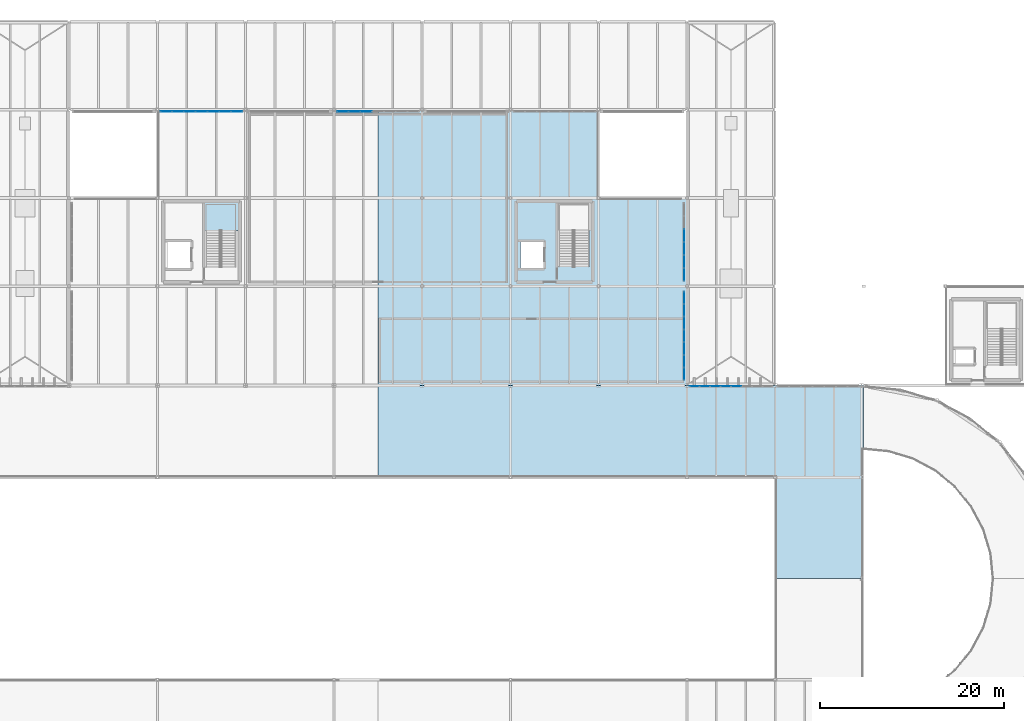
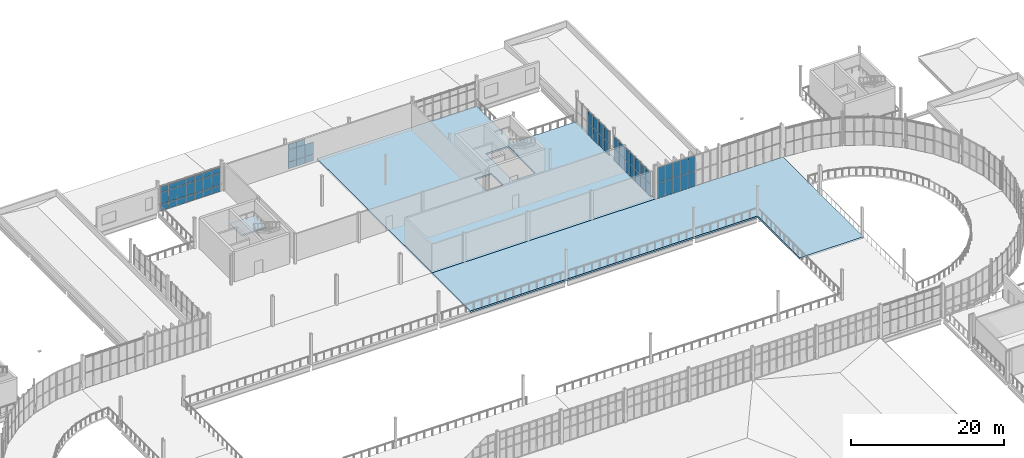
# One storey, part 81 of 112: 61 plates, 3 slabs, 6 elements without a shape of their own.
"""IFC4 building model written with IfcOpenShell, lengths in metres."""

from ifc_helpers import new_model, si_unit, direction, frame, origin, origin_2d, place, context, subcontext, project, spatial, polyline, rectangle, outline, extrude, material, layer, layer_set, type_object, element, aggregate, save


model = new_model("IFC4")

# Units and contexts
model_context = context("Model", 3, precision=1e-05, world=origin(), true_north=direction((0.0, 1.0)))
body_context = subcontext(model_context, "Body", "Model", "MODEL_VIEW")
ifc_project = project(units=[si_unit("LENGTHUNIT", "METRE"), si_unit("AREAUNIT", "SQUARE_METRE"), si_unit("VOLUMEUNIT", "CUBIC_METRE"), si_unit("PLANEANGLEUNIT", "RADIAN"), si_unit("MASSUNIT", "GRAM", prefix="KILO")], contexts=[model_context])

# Site, building, storey
site_placement = place(None, origin())
site = spatial("IfcSite", under=ifc_project, at=site_placement, CompositionType="ELEMENT")
building_placement = place(site_placement, origin())
building = spatial("IfcBuilding", under=site, at=building_placement, Name="Yeouljin Market Hall", CompositionType="ELEMENT")
storey_placement = place(building_placement, frame((0.0, 0.0, 6.0)))
storey = spatial("IfcBuildingStorey", under=building, at=storey_placement, Name="L01", CompositionType="ELEMENT", Elevation=6.0)

# Curtain wall, plates
ifc_material_1 = material(Name="Thermally Broken Aluminium", Category="aluminium")
ifc_layer_1 = layer(ifc_material_1, 0.14990234375)
ifc_layer_set_1 = layer_set([ifc_layer_1], Name="Thermally Broken Aluminium")
curtain_wall_type_1 = type_object("IfcCurtainWallType", Name="CW_AcademyRibbon_System", PredefinedType="USERDEFINED", material=ifc_layer_set_1)
curtain_wall_1_placement = place(storey_placement, origin())
curtain_wall_1 = element("IfcCurtainWall", 1, at=curtain_wall_1_placement, inside=storey, type_object=curtain_wall_type_1, Name="Curtain wall CW-L01-W20", ObjectType="CURTAIN WALL", PredefinedType="USERDEFINED")
ifc_material_2 = material(Name="Anodised Bronze Spandrel Panel")
ifc_layer_2 = layer(ifc_material_2, 0.0439453125)
ifc_layer_set_2 = layer_set([ifc_layer_2], Name="Anodised Bronze Spandrel Panel")
plate_type_1 = type_object("IfcPlateType", Name="CWPanel_BronzeSpandrel_44", PredefinedType="CURTAIN_PANEL", material=ifc_layer_set_2)
plate_1_placement = place(storey_placement, frame((84.354736328125, 107.800048828125, 0.0478515625), z_axis=(0.0, 0.0, 1.0), x_axis=(1.0, 0.0, 0.0)))
plate_1 = element("IfcPlate", 2, at=plate_1_placement, type_object=plate_type_1, Name="CW-05 panel 1.1", PredefinedType="CURTAIN_PANEL", context=body_context, shape_type="SweptSolid", body=[
    extrude(rectangle(XDim=1.213623046875, YDim=0.0439453125, at=origin_2d()), origin(), (0.0, 0.0, 1.0), 1.028076171875),
])
plate_2_placement = place(storey_placement, frame((84.354736328125, 107.800048828125, 1.1240234375), z_axis=(0.0, 0.0, 1.0), x_axis=(1.0, 0.0, 0.0)))
plate_2 = element("IfcPlate", 3, at=plate_2_placement, type_object=plate_type_1, Name="CW-05 panel 1.2", PredefinedType="CURTAIN_PANEL", context=body_context, shape_type="SweptSolid", body=[
    extrude(rectangle(XDim=1.213623046875, YDim=0.0439453125, at=origin_2d()), origin(), (0.0, 0.0, 1.0), 1.902099609375),
])
plate_3_placement = place(storey_placement, frame((84.354736328125, 107.800048828125, 3.07421875), z_axis=(0.0, 0.0, 1.0), x_axis=(1.0, 0.0, 0.0)))
plate_3 = element("IfcPlate", 4, at=plate_3_placement, type_object=plate_type_1, Name="CW-05 panel 1.3", PredefinedType="CURTAIN_PANEL", context=body_context, shape_type="SweptSolid", body=[
    extrude(rectangle(XDim=1.213623046875, YDim=0.0439453125, at=origin_2d()), origin(), (0.0, 0.0, 1.0), 0.827880859375),
])
plate_4_placement = place(storey_placement, frame((85.628662109375, 107.800048828125, 0.0478515625), z_axis=(0.0, 0.0, 1.0), x_axis=(1.0, 0.0, 0.0)))
plate_4 = element("IfcPlate", 5, at=plate_4_placement, type_object=plate_type_1, Name="CW-05 panel 2.1", PredefinedType="CURTAIN_PANEL", context=body_context, shape_type="SweptSolid", body=[
    extrude(rectangle(XDim=1.23779296875, YDim=0.0439453125, at=origin_2d()), origin(), (0.0, 0.0, 1.0), 1.028076171875),
])
plate_5_placement = place(storey_placement, frame((85.628662109375, 107.800048828125, 1.1240234375), z_axis=(0.0, 0.0, 1.0), x_axis=(1.0, 0.0, 0.0)))
plate_5 = element("IfcPlate", 6, at=plate_5_placement, type_object=plate_type_1, Name="CW-05 panel 2.2", PredefinedType="CURTAIN_PANEL", context=body_context, shape_type="SweptSolid", body=[
    extrude(rectangle(XDim=1.23779296875, YDim=0.0439453125, at=origin_2d()), origin(), (0.0, 0.0, 1.0), 1.902099609375),
])
plate_6_placement = place(storey_placement, frame((85.628662109375, 107.800048828125, 3.07421875), z_axis=(0.0, 0.0, 1.0), x_axis=(1.0, 0.0, 0.0)))
plate_6 = element("IfcPlate", 7, at=plate_6_placement, type_object=plate_type_1, Name="CW-05 panel 2.3", PredefinedType="CURTAIN_PANEL", context=body_context, shape_type="SweptSolid", body=[
    extrude(rectangle(XDim=1.23779296875, YDim=0.0439453125, at=origin_2d()), origin(), (0.0, 0.0, 1.0), 0.827880859375),
])
plate_7_placement = place(storey_placement, frame((86.914306640625, 107.800048828125, 0.0478515625), z_axis=(0.0, 0.0, 1.0), x_axis=(1.0, 0.0, 0.0)))
plate_7 = element("IfcPlate", 8, at=plate_7_placement, type_object=plate_type_1, Name="CW-05 panel 3.1", PredefinedType="CURTAIN_PANEL", context=body_context, shape_type="SweptSolid", body=[
    extrude(rectangle(XDim=1.23779296875, YDim=0.0439453125, at=origin_2d()), origin(), (0.0, 0.0, 1.0), 1.028076171875),
])
plate_8_placement = place(storey_placement, frame((86.914306640625, 107.800048828125, 1.1240234375), z_axis=(0.0, 0.0, 1.0), x_axis=(1.0, 0.0, 0.0)))
plate_8 = element("IfcPlate", 9, at=plate_8_placement, type_object=plate_type_1, Name="CW-05 panel 3.2", PredefinedType="CURTAIN_PANEL", context=body_context, shape_type="SweptSolid", body=[
    extrude(rectangle(XDim=1.23779296875, YDim=0.0439453125, at=origin_2d()), origin(), (0.0, 0.0, 1.0), 1.902099609375),
])
aggregate(curtain_wall_1, [plate_1, plate_2, plate_3, plate_4, plate_5, plate_6, plate_7, plate_8])

ifc_material_3 = material(Name="Thermally Broken Aluminium", Category="aluminium")
ifc_layer_3 = layer(ifc_material_3, 0.159912109375)
ifc_layer_set_3 = layer_set([ifc_layer_3], Name="Thermally Broken Aluminium")
curtain_wall_type_2 = type_object("IfcCurtainWallType", Name="CW_HallClerestory_System", PredefinedType="USERDEFINED", material=ifc_layer_set_3)
curtain_wall_2_placement = place(storey_placement, origin())
curtain_wall_2 = element("IfcCurtainWall", 10, at=curtain_wall_2_placement, inside=storey, type_object=curtain_wall_type_2, Name="Curtain wall CW-V1N-UP-10", ObjectType="CURTAIN WALL", PredefinedType="USERDEFINED")
ifc_material_4 = material(Name="Low-E Insulated Glass", Category="glass")
ifc_layer_4 = layer(ifc_material_4, 0.028076171875)
ifc_layer_set_4 = layer_set([ifc_layer_4], Name="Low-E Insulated Glass")
plate_type_2 = type_object("IfcPlateType", Name="CWPanel_LowE_28", PredefinedType="CURTAIN_PANEL", material=ifc_layer_set_4)
plate_9_placement = place(storey_placement, frame((122.630859375, 77.89990234375, 0.0478515625), z_axis=(0.0, 0.0, 1.0), x_axis=(1.0, 0.0, 0.0)))
plate_9 = element("IfcPlate", 11, at=plate_9_placement, type_object=plate_type_2, Name="CW-02 panel 1.1", PredefinedType="CURTAIN_PANEL", context=body_context, shape_type="SweptSolid", body=[
    extrude(rectangle(XDim=1.0654296875, YDim=0.028076171875, at=origin_2d()), origin(), (0.0, 0.0, 1.0), 2.4130859375),
])
plate_10_placement = place(storey_placement, frame((122.630859375, 77.89990234375, 2.509033203125), z_axis=(0.0, 0.0, 1.0), x_axis=(1.0, 0.0, 0.0)))
plate_10 = element("IfcPlate", 12, at=plate_10_placement, type_object=plate_type_2, Name="CW-02 panel 1.2", PredefinedType="CURTAIN_PANEL", context=body_context, shape_type="SweptSolid", body=[
    extrude(rectangle(XDim=1.0654296875, YDim=0.028076171875, at=origin_2d()), origin(), (0.0, 0.0, 1.0), 2.4130859375),
])
plate_11_placement = place(storey_placement, frame((123.75634765625, 77.89990234375, 0.0478515625), z_axis=(0.0, 0.0, 1.0), x_axis=(1.0, 0.0, 0.0)))
plate_11 = element("IfcPlate", 13, at=plate_11_placement, type_object=plate_type_2, Name="CW-02 panel 2.1", PredefinedType="CURTAIN_PANEL", context=body_context, shape_type="SweptSolid", body=[
    extrude(rectangle(XDim=1.089599609375, YDim=0.028076171875, at=origin_2d()), origin(), (0.0, 0.0, 1.0), 2.4130859375),
])
plate_12_placement = place(storey_placement, frame((123.75634765625, 77.89990234375, 2.509033203125), z_axis=(0.0, 0.0, 1.0), x_axis=(1.0, 0.0, 0.0)))
plate_12 = element("IfcPlate", 14, at=plate_12_placement, type_object=plate_type_2, Name="CW-02 panel 2.2", PredefinedType="CURTAIN_PANEL", context=body_context, shape_type="SweptSolid", body=[
    extrude(rectangle(XDim=1.089599609375, YDim=0.028076171875, at=origin_2d()), origin(), (0.0, 0.0, 1.0), 2.4130859375),
])
plate_13_placement = place(storey_placement, frame((124.893798828125, 77.89990234375, 0.0478515625), z_axis=(0.0, 0.0, 1.0), x_axis=(1.0, 0.0, 0.0)))
plate_13 = element("IfcPlate", 15, at=plate_13_placement, type_object=plate_type_2, Name="CW-02 panel 3.1", PredefinedType="CURTAIN_PANEL", context=body_context, shape_type="SweptSolid", body=[
    extrude(rectangle(XDim=1.089599609375, YDim=0.028076171875, at=origin_2d()), origin(), (0.0, 0.0, 1.0), 2.4130859375),
])
plate_14_placement = place(storey_placement, frame((124.893798828125, 77.89990234375, 2.509033203125), z_axis=(0.0, 0.0, 1.0), x_axis=(1.0, 0.0, 0.0)))
plate_14 = element("IfcPlate", 16, at=plate_14_placement, type_object=plate_type_2, Name="CW-02 panel 3.2", PredefinedType="CURTAIN_PANEL", context=body_context, shape_type="SweptSolid", body=[
    extrude(rectangle(XDim=1.089599609375, YDim=0.028076171875, at=origin_2d()), origin(), (0.0, 0.0, 1.0), 2.4130859375),
])
plate_15_placement = place(storey_placement, frame((126.03125, 77.89990234375, 0.0478515625), z_axis=(0.0, 0.0, 1.0), x_axis=(1.0, 0.0, 0.0)))
plate_15 = element("IfcPlate", 17, at=plate_15_placement, type_object=plate_type_2, Name="CW-02 panel 4.1", PredefinedType="CURTAIN_PANEL", context=body_context, shape_type="SweptSolid", body=[
    extrude(rectangle(XDim=1.089599609375, YDim=0.028076171875, at=origin_2d()), origin(), (0.0, 0.0, 1.0), 2.4130859375),
])
plate_16_placement = place(storey_placement, frame((126.03125, 77.89990234375, 2.509033203125), z_axis=(0.0, 0.0, 1.0), x_axis=(1.0, 0.0, 0.0)))
plate_16 = element("IfcPlate", 18, at=plate_16_placement, type_object=plate_type_2, Name="CW-02 panel 4.2", PredefinedType="CURTAIN_PANEL", context=body_context, shape_type="SweptSolid", body=[
    extrude(rectangle(XDim=1.089599609375, YDim=0.028076171875, at=origin_2d()), origin(), (0.0, 0.0, 1.0), 2.4130859375),
])
plate_17_placement = place(storey_placement, frame((127.168701171875, 77.89990234375, 0.0478515625), z_axis=(0.0, 0.0, 1.0), x_axis=(1.0, 0.0, 0.0)))
plate_17 = element("IfcPlate", 19, at=plate_17_placement, type_object=plate_type_2, Name="CW-02 panel 5.1", PredefinedType="CURTAIN_PANEL", context=body_context, shape_type="SweptSolid", body=[
    extrude(rectangle(XDim=1.089599609375, YDim=0.028076171875, at=origin_2d()), origin(), (0.0, 0.0, 1.0), 2.4130859375),
])
plate_18_placement = place(storey_placement, frame((127.168701171875, 77.89990234375, 2.509033203125), z_axis=(0.0, 0.0, 1.0), x_axis=(1.0, 0.0, 0.0)))
plate_18 = element("IfcPlate", 20, at=plate_18_placement, type_object=plate_type_2, Name="CW-02 panel 5.2", PredefinedType="CURTAIN_PANEL", context=body_context, shape_type="SweptSolid", body=[
    extrude(rectangle(XDim=1.089599609375, YDim=0.028076171875, at=origin_2d()), origin(), (0.0, 0.0, 1.0), 2.4130859375),
])
aggregate(curtain_wall_2, [plate_9, plate_10, plate_11, plate_12, plate_13, plate_14, plate_15, plate_16, plate_17, plate_18])

curtain_wall_3_placement = place(storey_placement, origin())
curtain_wall_3 = element("IfcCurtainWall", 21, at=curtain_wall_3_placement, inside=storey, type_object=curtain_wall_type_1, Name="Curtain wall CW-L01-W18", ObjectType="CURTAIN WALL", PredefinedType="USERDEFINED")
plate_19_placement = place(storey_placement, frame((65.15478515625, 107.800048828125, 0.0478515625), z_axis=(0.0, 0.0, 1.0), x_axis=(1.0, 0.0, 0.0)))
plate_19 = element("IfcPlate", 22, at=plate_19_placement, type_object=plate_type_2, Name="CW-05 panel 1.1", PredefinedType="CURTAIN_PANEL", context=body_context, shape_type="SweptSolid", body=[
    extrude(rectangle(XDim=1.213623046875, YDim=0.028076171875, at=origin_2d()), origin(), (0.0, 0.0, 1.0), 1.028076171875),
])
plate_20_placement = place(storey_placement, frame((65.15478515625, 107.800048828125, 1.1240234375), z_axis=(0.0, 0.0, 1.0), x_axis=(1.0, 0.0, 0.0)))
plate_20 = element("IfcPlate", 23, at=plate_20_placement, type_object=plate_type_2, Name="CW-05 panel 1.2", PredefinedType="CURTAIN_PANEL", context=body_context, shape_type="SweptSolid", body=[
    extrude(rectangle(XDim=1.213623046875, YDim=0.028076171875, at=origin_2d()), origin(), (0.0, 0.0, 1.0), 1.902099609375),
])
plate_21_placement = place(storey_placement, frame((65.15478515625, 107.800048828125, 3.07421875), z_axis=(0.0, 0.0, 1.0), x_axis=(1.0, 0.0, 0.0)))
plate_21 = element("IfcPlate", 24, at=plate_21_placement, type_object=plate_type_2, Name="CW-05 panel 1.3", PredefinedType="CURTAIN_PANEL", context=body_context, shape_type="SweptSolid", body=[
    extrude(rectangle(XDim=1.213623046875, YDim=0.028076171875, at=origin_2d()), origin(), (0.0, 0.0, 1.0), 0.827880859375),
])
plate_22_placement = place(storey_placement, frame((66.428466796875, 107.800048828125, 0.0478515625), z_axis=(0.0, 0.0, 1.0), x_axis=(1.0, 0.0, 0.0)))
plate_22 = element("IfcPlate", 25, at=plate_22_placement, type_object=plate_type_2, Name="CW-05 panel 2.1", PredefinedType="CURTAIN_PANEL", context=body_context, shape_type="SweptSolid", body=[
    extrude(rectangle(XDim=1.23779296875, YDim=0.028076171875, at=origin_2d()), origin(), (0.0, 0.0, 1.0), 1.028076171875),
])
plate_23_placement = place(storey_placement, frame((66.428466796875, 107.800048828125, 1.1240234375), z_axis=(0.0, 0.0, 1.0), x_axis=(1.0, 0.0, 0.0)))
plate_23 = element("IfcPlate", 26, at=plate_23_placement, type_object=plate_type_2, Name="CW-05 panel 2.2", PredefinedType="CURTAIN_PANEL", context=body_context, shape_type="SweptSolid", body=[
    extrude(rectangle(XDim=1.23779296875, YDim=0.028076171875, at=origin_2d()), origin(), (0.0, 0.0, 1.0), 1.902099609375),
])
plate_24_placement = place(storey_placement, frame((66.428466796875, 107.800048828125, 3.07421875), z_axis=(0.0, 0.0, 1.0), x_axis=(1.0, 0.0, 0.0)))
plate_24 = element("IfcPlate", 27, at=plate_24_placement, type_object=plate_type_2, Name="CW-05 panel 2.3", PredefinedType="CURTAIN_PANEL", context=body_context, shape_type="SweptSolid", body=[
    extrude(rectangle(XDim=1.23779296875, YDim=0.028076171875, at=origin_2d()), origin(), (0.0, 0.0, 1.0), 0.827880859375),
])
plate_25_placement = place(storey_placement, frame((67.71435546875, 107.800048828125, 0.0478515625), z_axis=(0.0, 0.0, 1.0), x_axis=(1.0, 0.0, 0.0)))
plate_25 = element("IfcPlate", 28, at=plate_25_placement, type_object=plate_type_2, Name="CW-05 panel 3.1", PredefinedType="CURTAIN_PANEL", context=body_context, shape_type="SweptSolid", body=[
    extrude(rectangle(XDim=1.23779296875, YDim=0.028076171875, at=origin_2d()), origin(), (0.0, 0.0, 1.0), 1.028076171875),
])
plate_26_placement = place(storey_placement, frame((67.71435546875, 107.800048828125, 1.1240234375), z_axis=(0.0, 0.0, 1.0), x_axis=(1.0, 0.0, 0.0)))
plate_26 = element("IfcPlate", 29, at=plate_26_placement, type_object=plate_type_2, Name="CW-05 panel 3.2", PredefinedType="CURTAIN_PANEL", context=body_context, shape_type="SweptSolid", body=[
    extrude(rectangle(XDim=1.23779296875, YDim=0.028076171875, at=origin_2d()), origin(), (0.0, 0.0, 1.0), 1.902099609375),
])
plate_27_placement = place(storey_placement, frame((67.71435546875, 107.800048828125, 3.07421875), z_axis=(0.0, 0.0, 1.0), x_axis=(1.0, 0.0, 0.0)))
plate_27 = element("IfcPlate", 30, at=plate_27_placement, type_object=plate_type_2, Name="CW-05 panel 3.3", PredefinedType="CURTAIN_PANEL", context=body_context, shape_type="SweptSolid", body=[
    extrude(rectangle(XDim=1.23779296875, YDim=0.028076171875, at=origin_2d()), origin(), (0.0, 0.0, 1.0), 0.827880859375),
])
plate_28_placement = place(storey_placement, frame((69.0, 107.800048828125, 0.0478515625), z_axis=(0.0, 0.0, 1.0), x_axis=(1.0, 0.0, 0.0)))
plate_28 = element("IfcPlate", 31, at=plate_28_placement, type_object=plate_type_2, Name="CW-05 panel 4.1", PredefinedType="CURTAIN_PANEL", context=body_context, shape_type="SweptSolid", body=[
    extrude(rectangle(XDim=1.23779296875, YDim=0.028076171875, at=origin_2d()), origin(), (0.0, 0.0, 1.0), 1.028076171875),
])
plate_29_placement = place(storey_placement, frame((69.0, 107.800048828125, 1.1240234375), z_axis=(0.0, 0.0, 1.0), x_axis=(1.0, 0.0, 0.0)))
plate_29 = element("IfcPlate", 32, at=plate_29_placement, type_object=plate_type_2, Name="CW-05 panel 4.2", PredefinedType="CURTAIN_PANEL", context=body_context, shape_type="SweptSolid", body=[
    extrude(rectangle(XDim=1.23779296875, YDim=0.028076171875, at=origin_2d()), origin(), (0.0, 0.0, 1.0), 1.902099609375),
])
plate_30_placement = place(storey_placement, frame((69.0, 107.800048828125, 3.07421875), z_axis=(0.0, 0.0, 1.0), x_axis=(1.0, 0.0, 0.0)))
plate_30 = element("IfcPlate", 33, at=plate_30_placement, type_object=plate_type_2, Name="CW-05 panel 4.3", PredefinedType="CURTAIN_PANEL", context=body_context, shape_type="SweptSolid", body=[
    extrude(rectangle(XDim=1.23779296875, YDim=0.028076171875, at=origin_2d()), origin(), (0.0, 0.0, 1.0), 0.827880859375),
])
plate_31_placement = place(storey_placement, frame((70.28564453125, 107.800048828125, 0.0478515625), z_axis=(0.0, 0.0, 1.0), x_axis=(1.0, 0.0, 0.0)))
plate_31 = element("IfcPlate", 34, at=plate_31_placement, type_object=plate_type_2, Name="CW-05 panel 5.1", PredefinedType="CURTAIN_PANEL", context=body_context, shape_type="SweptSolid", body=[
    extrude(rectangle(XDim=1.23779296875, YDim=0.028076171875, at=origin_2d()), origin(), (0.0, 0.0, 1.0), 1.028076171875),
])
plate_32_placement = place(storey_placement, frame((70.28564453125, 107.800048828125, 1.1240234375), z_axis=(0.0, 0.0, 1.0), x_axis=(1.0, 0.0, 0.0)))
plate_32 = element("IfcPlate", 35, at=plate_32_placement, type_object=plate_type_2, Name="CW-05 panel 5.2", PredefinedType="CURTAIN_PANEL", context=body_context, shape_type="SweptSolid", body=[
    extrude(rectangle(XDim=1.23779296875, YDim=0.028076171875, at=origin_2d()), origin(), (0.0, 0.0, 1.0), 1.902099609375),
])
plate_33_placement = place(storey_placement, frame((70.28564453125, 107.800048828125, 3.07421875), z_axis=(0.0, 0.0, 1.0), x_axis=(1.0, 0.0, 0.0)))
plate_33 = element("IfcPlate", 36, at=plate_33_placement, type_object=plate_type_2, Name="CW-05 panel 5.3", PredefinedType="CURTAIN_PANEL", context=body_context, shape_type="SweptSolid", body=[
    extrude(rectangle(XDim=1.23779296875, YDim=0.028076171875, at=origin_2d()), origin(), (0.0, 0.0, 1.0), 0.827880859375),
])
plate_34_placement = place(storey_placement, frame((71.571533203125, 107.800048828125, 0.0478515625), z_axis=(0.0, 0.0, 1.0), x_axis=(1.0, 0.0, 0.0)))
plate_34 = element("IfcPlate", 37, at=plate_34_placement, type_object=plate_type_2, Name="CW-05 panel 6.1", PredefinedType="CURTAIN_PANEL", context=body_context, shape_type="SweptSolid", body=[
    extrude(rectangle(XDim=1.23779296875, YDim=0.028076171875, at=origin_2d()), origin(), (0.0, 0.0, 1.0), 1.028076171875),
])
plate_35_placement = place(storey_placement, frame((71.571533203125, 107.800048828125, 1.1240234375), z_axis=(0.0, 0.0, 1.0), x_axis=(1.0, 0.0, 0.0)))
plate_35 = element("IfcPlate", 38, at=plate_35_placement, type_object=plate_type_2, Name="CW-05 panel 6.2", PredefinedType="CURTAIN_PANEL", context=body_context, shape_type="SweptSolid", body=[
    extrude(rectangle(XDim=1.23779296875, YDim=0.028076171875, at=origin_2d()), origin(), (0.0, 0.0, 1.0), 1.902099609375),
])
plate_36_placement = place(storey_placement, frame((71.571533203125, 107.800048828125, 3.07421875), z_axis=(0.0, 0.0, 1.0), x_axis=(1.0, 0.0, 0.0)))
plate_36 = element("IfcPlate", 39, at=plate_36_placement, type_object=plate_type_2, Name="CW-05 panel 6.3", PredefinedType="CURTAIN_PANEL", context=body_context, shape_type="SweptSolid", body=[
    extrude(rectangle(XDim=1.23779296875, YDim=0.028076171875, at=origin_2d()), origin(), (0.0, 0.0, 1.0), 0.827880859375),
])
plate_37_placement = place(storey_placement, frame((72.84521484375, 107.800048828125, 0.0478515625), z_axis=(0.0, 0.0, 1.0), x_axis=(1.0, 0.0, 0.0)))
plate_37 = element("IfcPlate", 40, at=plate_37_placement, type_object=plate_type_2, Name="CW-05 panel 7.1", PredefinedType="CURTAIN_PANEL", context=body_context, shape_type="SweptSolid", body=[
    extrude(rectangle(XDim=1.213623046875, YDim=0.028076171875, at=origin_2d()), origin(), (0.0, 0.0, 1.0), 1.028076171875),
])
plate_38_placement = place(storey_placement, frame((72.84521484375, 107.800048828125, 1.1240234375), z_axis=(0.0, 0.0, 1.0), x_axis=(1.0, 0.0, 0.0)))
plate_38 = element("IfcPlate", 41, at=plate_38_placement, type_object=plate_type_2, Name="CW-05 panel 7.2", PredefinedType="CURTAIN_PANEL", context=body_context, shape_type="SweptSolid", body=[
    extrude(rectangle(XDim=1.213623046875, YDim=0.028076171875, at=origin_2d()), origin(), (0.0, 0.0, 1.0), 1.902099609375),
])
plate_39_placement = place(storey_placement, frame((72.84521484375, 107.800048828125, 3.07421875), z_axis=(0.0, 0.0, 1.0), x_axis=(1.0, 0.0, 0.0)))
plate_39 = element("IfcPlate", 42, at=plate_39_placement, type_object=plate_type_2, Name="CW-05 panel 7.3", PredefinedType="CURTAIN_PANEL", context=body_context, shape_type="SweptSolid", body=[
    extrude(rectangle(XDim=1.213623046875, YDim=0.028076171875, at=origin_2d()), origin(), (0.0, 0.0, 1.0), 0.827880859375),
])
aggregate(curtain_wall_3, [plate_19, plate_20, plate_21, plate_22, plate_23, plate_24, plate_25, plate_26, plate_27, plate_28, plate_29, plate_30, plate_31, plate_32, plate_33, plate_34, plate_35, plate_36, plate_37, plate_38, plate_39])

ifc_material_5 = material(Name="Thermally Broken Aluminium", Category="aluminium")
ifc_layer_5 = layer(ifc_material_5, 0.14990234375)
ifc_layer_set_5 = layer_set([ifc_layer_5], Name="Thermally Broken Aluminium")
curtain_wall_type_3 = type_object("IfcCurtainWallType", Name="CW_WingStorefront_System", PredefinedType="USERDEFINED", material=ifc_layer_set_5)
curtain_wall_4_placement = place(storey_placement, origin())
curtain_wall_4 = element("IfcCurtainWall", 43, at=curtain_wall_4_placement, inside=storey, type_object=curtain_wall_type_3, Name="Curtain wall CW-CRT-L01-23", ObjectType="CURTAIN WALL", PredefinedType="USERDEFINED")
plate_40_placement = place(storey_placement, frame((121.5, 94.308349609375, 0.0478515625), z_axis=(0.0, 0.0, 1.0), x_axis=(0.0, -1.0, 0.0)))
plate_40 = element("IfcPlate", 44, at=plate_40_placement, type_object=plate_type_2, Name="CW-04 panel 3.1", PredefinedType="CURTAIN_PANEL", context=body_context, shape_type="SweptSolid", body=[
    extrude(rectangle(XDim=1.36865234375, YDim=0.028076171875, at=origin_2d()), origin(), (0.0, 0.0, 1.0), 1.903076171875),
])
plate_41_placement = place(storey_placement, frame((121.5, 94.308349609375, 1.9990234375), z_axis=(0.0, 0.0, 1.0), x_axis=(0.0, -1.0, 0.0)))
plate_41 = element("IfcPlate", 45, at=plate_41_placement, type_object=plate_type_2, Name="CW-04 panel 3.2", PredefinedType="CURTAIN_PANEL", context=body_context, shape_type="SweptSolid", body=[
    extrude(rectangle(XDim=1.36865234375, YDim=0.028076171875, at=origin_2d()), origin(), (0.0, 0.0, 1.0), 1.903076171875),
])
plate_42_placement = place(storey_placement, frame((121.5, 92.8916015625, 0.0478515625), z_axis=(0.0, 0.0, 1.0), x_axis=(0.0, -1.0, 0.0)))
plate_42 = element("IfcPlate", 46, at=plate_42_placement, type_object=plate_type_2, Name="CW-04 panel 4.1", PredefinedType="CURTAIN_PANEL", context=body_context, shape_type="SweptSolid", body=[
    extrude(rectangle(XDim=1.36865234375, YDim=0.028076171875, at=origin_2d()), origin(), (0.0, 0.0, 1.0), 1.903076171875),
])
plate_43_placement = place(storey_placement, frame((121.5, 92.8916015625, 1.9990234375), z_axis=(0.0, 0.0, 1.0), x_axis=(0.0, -1.0, 0.0)))
plate_43 = element("IfcPlate", 47, at=plate_43_placement, type_object=plate_type_2, Name="CW-04 panel 4.2", PredefinedType="CURTAIN_PANEL", context=body_context, shape_type="SweptSolid", body=[
    extrude(rectangle(XDim=1.36865234375, YDim=0.028076171875, at=origin_2d()), origin(), (0.0, 0.0, 1.0), 1.903076171875),
])
plate_44_placement = place(storey_placement, frame((121.5, 91.47509765625, 0.0478515625), z_axis=(0.0, 0.0, 1.0), x_axis=(0.0, -1.0, 0.0)))
plate_44 = element("IfcPlate", 48, at=plate_44_placement, type_object=plate_type_2, Name="CW-04 panel 5.1", PredefinedType="CURTAIN_PANEL", context=body_context, shape_type="SweptSolid", body=[
    extrude(rectangle(XDim=1.36865234375, YDim=0.028076171875, at=origin_2d()), origin(), (0.0, 0.0, 1.0), 1.903076171875),
])
plate_45_placement = place(storey_placement, frame((121.5, 91.47509765625, 1.9990234375), z_axis=(0.0, 0.0, 1.0), x_axis=(0.0, -1.0, 0.0)))
plate_45 = element("IfcPlate", 49, at=plate_45_placement, type_object=plate_type_2, Name="CW-04 panel 5.2", PredefinedType="CURTAIN_PANEL", context=body_context, shape_type="SweptSolid", body=[
    extrude(rectangle(XDim=1.36865234375, YDim=0.028076171875, at=origin_2d()), origin(), (0.0, 0.0, 1.0), 1.903076171875),
])
plate_46_placement = place(storey_placement, frame((121.5, 90.0703125, 0.0478515625), z_axis=(0.0, 0.0, 1.0), x_axis=(0.0, -1.0, 0.0)))
plate_46 = element("IfcPlate", 50, at=plate_46_placement, type_object=plate_type_2, Name="CW-04 panel 6.1", PredefinedType="CURTAIN_PANEL", context=body_context, shape_type="SweptSolid", body=[
    extrude(rectangle(XDim=1.3447265625, YDim=0.028076171875, at=origin_2d()), origin(), (0.0, 0.0, 1.0), 1.903076171875),
])
plate_47_placement = place(storey_placement, frame((121.5, 90.0703125, 1.9990234375), z_axis=(0.0, 0.0, 1.0), x_axis=(0.0, -1.0, 0.0)))
plate_47 = element("IfcPlate", 51, at=plate_47_placement, type_object=plate_type_2, Name="CW-04 panel 6.2", PredefinedType="CURTAIN_PANEL", context=body_context, shape_type="SweptSolid", body=[
    extrude(rectangle(XDim=1.3447265625, YDim=0.028076171875, at=origin_2d()), origin(), (0.0, 0.0, 1.0), 1.903076171875),
])
aggregate(curtain_wall_4, [plate_40, plate_41, plate_42, plate_43, plate_44, plate_45, plate_46, plate_47])

curtain_wall_5_placement = place(storey_placement, origin())
curtain_wall_5 = element("IfcCurtainWall", 52, at=curtain_wall_5_placement, inside=storey, type_object=curtain_wall_type_3, Name="Curtain wall CW-CRT-L01-24", ObjectType="CURTAIN WALL", PredefinedType="USERDEFINED")
plate_48_placement = place(storey_placement, frame((121.5, 87.545166015625, 0.0478515625), z_axis=(0.0, 0.0, 1.0), x_axis=(0.0, -1.0, 0.0)))
plate_48 = element("IfcPlate", 53, at=plate_48_placement, type_object=plate_type_2, Name="CW-04 panel 1.1", PredefinedType="CURTAIN_PANEL", context=body_context, shape_type="SweptSolid", body=[
    extrude(rectangle(XDim=1.313720703125, YDim=0.028076171875, at=origin_2d()), origin(), (0.0, 0.0, 1.0), 1.903076171875),
])
plate_49_placement = place(storey_placement, frame((121.5, 87.545166015625, 1.9990234375), z_axis=(0.0, 0.0, 1.0), x_axis=(0.0, -1.0, 0.0)))
plate_49 = element("IfcPlate", 54, at=plate_49_placement, type_object=plate_type_2, Name="CW-04 panel 1.2", PredefinedType="CURTAIN_PANEL", context=body_context, shape_type="SweptSolid", body=[
    extrude(rectangle(XDim=1.313720703125, YDim=0.028076171875, at=origin_2d()), origin(), (0.0, 0.0, 1.0), 1.903076171875),
])
plate_50_placement = place(storey_placement, frame((121.5, 86.17138671875, 0.0478515625), z_axis=(0.0, 0.0, 1.0), x_axis=(0.0, -1.0, 0.0)))
plate_50 = element("IfcPlate", 55, at=plate_50_placement, type_object=plate_type_2, Name="CW-04 panel 2.1", PredefinedType="CURTAIN_PANEL", context=body_context, shape_type="SweptSolid", body=[
    extrude(rectangle(XDim=1.337646484375, YDim=0.028076171875, at=origin_2d()), origin(), (0.0, 0.0, 1.0), 1.903076171875),
])
plate_51_placement = place(storey_placement, frame((121.5, 86.17138671875, 1.9990234375), z_axis=(0.0, 0.0, 1.0), x_axis=(0.0, -1.0, 0.0)))
plate_51 = element("IfcPlate", 56, at=plate_51_placement, type_object=plate_type_2, Name="CW-04 panel 2.2", PredefinedType="CURTAIN_PANEL", context=body_context, shape_type="SweptSolid", body=[
    extrude(rectangle(XDim=1.337646484375, YDim=0.028076171875, at=origin_2d()), origin(), (0.0, 0.0, 1.0), 1.903076171875),
])
plate_52_placement = place(storey_placement, frame((121.5, 84.78564453125, 0.0478515625), z_axis=(0.0, 0.0, 1.0), x_axis=(0.0, -1.0, 0.0)))
plate_52 = element("IfcPlate", 57, at=plate_52_placement, type_object=plate_type_2, Name="CW-04 panel 3.1", PredefinedType="CURTAIN_PANEL", context=body_context, shape_type="SweptSolid", body=[
    extrude(rectangle(XDim=1.337646484375, YDim=0.028076171875, at=origin_2d()), origin(), (0.0, 0.0, 1.0), 1.903076171875),
])
plate_53_placement = place(storey_placement, frame((121.5, 84.78564453125, 1.9990234375), z_axis=(0.0, 0.0, 1.0), x_axis=(0.0, -1.0, 0.0)))
plate_53 = element("IfcPlate", 58, at=plate_53_placement, type_object=plate_type_2, Name="CW-04 panel 3.2", PredefinedType="CURTAIN_PANEL", context=body_context, shape_type="SweptSolid", body=[
    extrude(rectangle(XDim=1.337646484375, YDim=0.028076171875, at=origin_2d()), origin(), (0.0, 0.0, 1.0), 1.903076171875),
])
plate_54_placement = place(storey_placement, frame((121.5, 83.39990234375, 0.0478515625), z_axis=(0.0, 0.0, 1.0), x_axis=(0.0, -1.0, 0.0)))
plate_54 = element("IfcPlate", 59, at=plate_54_placement, type_object=plate_type_2, Name="CW-04 panel 4.1", PredefinedType="CURTAIN_PANEL", context=body_context, shape_type="SweptSolid", body=[
    extrude(rectangle(XDim=1.337646484375, YDim=0.028076171875, at=origin_2d()), origin(), (0.0, 0.0, 1.0), 1.903076171875),
])
plate_55_placement = place(storey_placement, frame((121.5, 83.39990234375, 1.9990234375), z_axis=(0.0, 0.0, 1.0), x_axis=(0.0, -1.0, 0.0)))
plate_55 = element("IfcPlate", 60, at=plate_55_placement, type_object=plate_type_2, Name="CW-04 panel 4.2", PredefinedType="CURTAIN_PANEL", context=body_context, shape_type="SweptSolid", body=[
    extrude(rectangle(XDim=1.337646484375, YDim=0.028076171875, at=origin_2d()), origin(), (0.0, 0.0, 1.0), 1.903076171875),
])
plate_56_placement = place(storey_placement, frame((121.5, 82.014404296875, 0.0478515625), z_axis=(0.0, 0.0, 1.0), x_axis=(0.0, -1.0, 0.0)))
plate_56 = element("IfcPlate", 61, at=plate_56_placement, type_object=plate_type_2, Name="CW-04 panel 5.1", PredefinedType="CURTAIN_PANEL", context=body_context, shape_type="SweptSolid", body=[
    extrude(rectangle(XDim=1.337646484375, YDim=0.028076171875, at=origin_2d()), origin(), (0.0, 0.0, 1.0), 1.903076171875),
])
plate_57_placement = place(storey_placement, frame((121.5, 82.014404296875, 1.9990234375), z_axis=(0.0, 0.0, 1.0), x_axis=(0.0, -1.0, 0.0)))
plate_57 = element("IfcPlate", 62, at=plate_57_placement, type_object=plate_type_2, Name="CW-04 panel 5.2", PredefinedType="CURTAIN_PANEL", context=body_context, shape_type="SweptSolid", body=[
    extrude(rectangle(XDim=1.337646484375, YDim=0.028076171875, at=origin_2d()), origin(), (0.0, 0.0, 1.0), 1.903076171875),
])
plate_58_placement = place(storey_placement, frame((121.5, 80.628662109375, 0.0478515625), z_axis=(0.0, 0.0, 1.0), x_axis=(0.0, -1.0, 0.0)))
plate_58 = element("IfcPlate", 63, at=plate_58_placement, type_object=plate_type_2, Name="CW-04 panel 6.1", PredefinedType="CURTAIN_PANEL", context=body_context, shape_type="SweptSolid", body=[
    extrude(rectangle(XDim=1.337646484375, YDim=0.028076171875, at=origin_2d()), origin(), (0.0, 0.0, 1.0), 1.903076171875),
])
plate_59_placement = place(storey_placement, frame((121.5, 80.628662109375, 1.9990234375), z_axis=(0.0, 0.0, 1.0), x_axis=(0.0, -1.0, 0.0)))
plate_59 = element("IfcPlate", 64, at=plate_59_placement, type_object=plate_type_2, Name="CW-04 panel 6.2", PredefinedType="CURTAIN_PANEL", context=body_context, shape_type="SweptSolid", body=[
    extrude(rectangle(XDim=1.337646484375, YDim=0.028076171875, at=origin_2d()), origin(), (0.0, 0.0, 1.0), 1.903076171875),
])
plate_60_placement = place(storey_placement, frame((121.5, 79.2548828125, 0.0478515625), z_axis=(0.0, 0.0, 1.0), x_axis=(0.0, -1.0, 0.0)))
plate_60 = element("IfcPlate", 65, at=plate_60_placement, type_object=plate_type_2, Name="CW-04 panel 7.1", PredefinedType="CURTAIN_PANEL", context=body_context, shape_type="SweptSolid", body=[
    extrude(rectangle(XDim=1.313720703125, YDim=0.028076171875, at=origin_2d()), origin(), (0.0, 0.0, 1.0), 1.903076171875),
])
plate_61_placement = place(storey_placement, frame((121.5, 79.2548828125, 1.9990234375), z_axis=(0.0, 0.0, 1.0), x_axis=(0.0, -1.0, 0.0)))
plate_61 = element("IfcPlate", 66, at=plate_61_placement, type_object=plate_type_2, Name="CW-04 panel 7.2", PredefinedType="CURTAIN_PANEL", context=body_context, shape_type="SweptSolid", body=[
    extrude(rectangle(XDim=1.313720703125, YDim=0.028076171875, at=origin_2d()), origin(), (0.0, 0.0, 1.0), 1.903076171875),
])
aggregate(curtain_wall_5, [plate_48, plate_49, plate_50, plate_51, plate_52, plate_53, plate_54, plate_55, plate_56, plate_57, plate_58, plate_59, plate_60, plate_61])

# Slabs
ifc_material_6 = material(Name="Concrete C30/37", Category="concrete")
ifc_layer_6 = layer(ifc_material_6, 0.27001953125)
ifc_layer_set_6 = layer_set([ifc_layer_6], Name="Concrete C30/37")
slab_type_1 = type_object("IfcSlabType", Name="SLB_MEZZ_240", PredefinedType="FLOOR", material=ifc_layer_set_6)
slab_1_placement = place(storey_placement, frame((0.0, 0.0, -0.27001953125)))
element("IfcSlab", 67, at=slab_1_placement, inside=storey, type_object=slab_type_1, Name="Structural slab SLB-L01-HMNE", PredefinedType="FLOOR", context=body_context, shape_type="SweptSolid", body=[
    extrude(outline(polyline([(131.39990234375, 57.0), (141.0, 57.0), (141.0, 78.0), (88.199951171875, 78.0), (88.199951171875, 68.0), (131.39990234375, 68.0), (131.39990234375, 57.0)])), origin(), (0.0, 0.0, 1.0), 0.27001953125),
])
ifc_material_7 = material(Name="Concrete C30/37", Category="concrete")
ifc_layer_7 = layer(ifc_material_7, 0.260009765625)
ifc_layer_set_7 = layer_set([ifc_layer_7], Name="Concrete C30/37")
slab_type_2 = type_object("IfcSlabType", Name="SLB_NORTH_260", PredefinedType="FLOOR", material=ifc_layer_set_7)
slab_2_placement = place(storey_placement, frame((0.0, 0.0, -0.260009765625)))
element("IfcSlab", 68, at=slab_2_placement, inside=storey, type_object=slab_type_2, Name="Structural slab SLB-L01-NB2", PredefinedType="FLOOR", context=body_context, shape_type="SweptSolid", body=[
    extrude(outline(polyline([(88.199951171875, 78.0), (121.800048828125, 78.0), (121.800048828125, 98.39990234375), (112.199951171875, 98.39990234375), (112.199951171875, 108.0), (88.199951171875, 108.0), (88.199951171875, 78.0)]), holes=[polyline([(107.800048828125, 90.949951171875), (111.199951171875, 90.949951171875), (111.199951171875, 97.969970703125), (107.800048828125, 97.969970703125), (107.800048828125, 90.949951171875)]), polyline([(103.699951171875, 90.64990234375), (106.199951171875, 90.64990234375), (106.199951171875, 93.75), (103.699951171875, 93.75), (103.699951171875, 90.64990234375)])]), origin(), (0.0, 0.0, 1.0), 0.260009765625),
])

# Stair, slab
ifc_material_8 = material(Name="Concrete C30/37", Category="concrete")
stair_type = type_object("IfcStairType", Name="Stair_Core_L01_L02", PredefinedType="TWO_STRAIGHT_RUN_STAIR", material=ifc_material_8)
stair_placement = place(storey_placement, origin())
stair = element("IfcStair", 69, at=stair_placement, inside=storey, type_object=stair_type, Name="Enclosed exit stair ST-C5-L01", PredefinedType="TWO_STRAIGHT_RUN_STAIR")
ifc_material_9 = material(Name="Concrete C30/37", Category="concrete")
ifc_layer_8 = layer(ifc_material_9, 0.199951171875)
ifc_layer_set_8 = layer_set([ifc_layer_8], Name="Concrete C30/37")
slab_type_3 = type_object("IfcSlabType", Name="StairLanding_200", PredefinedType="LANDING", material=ifc_layer_set_8)
slab_3_placement = place(storey_placement, frame((0.0, 0.0, 2.199951171875)))
slab_3 = element("IfcSlab", 70, at=slab_3_placement, type_object=slab_type_3, Name="ST-C5-L01 landing 1", PredefinedType="LANDING", context=body_context, shape_type="SweptSolid", body=[
    extrude(outline(polyline([(69.280029296875, 94.85009765625), (73.030029296875, 94.85009765625), (73.030029296875, 97.929931640625), (69.280029296875, 97.929931640625), (69.280029296875, 94.85009765625)])), origin(), (0.0, 0.0, 1.0), 0.199951171875),
])
aggregate(stair, [slab_3])

save(model, "model.ifc")
